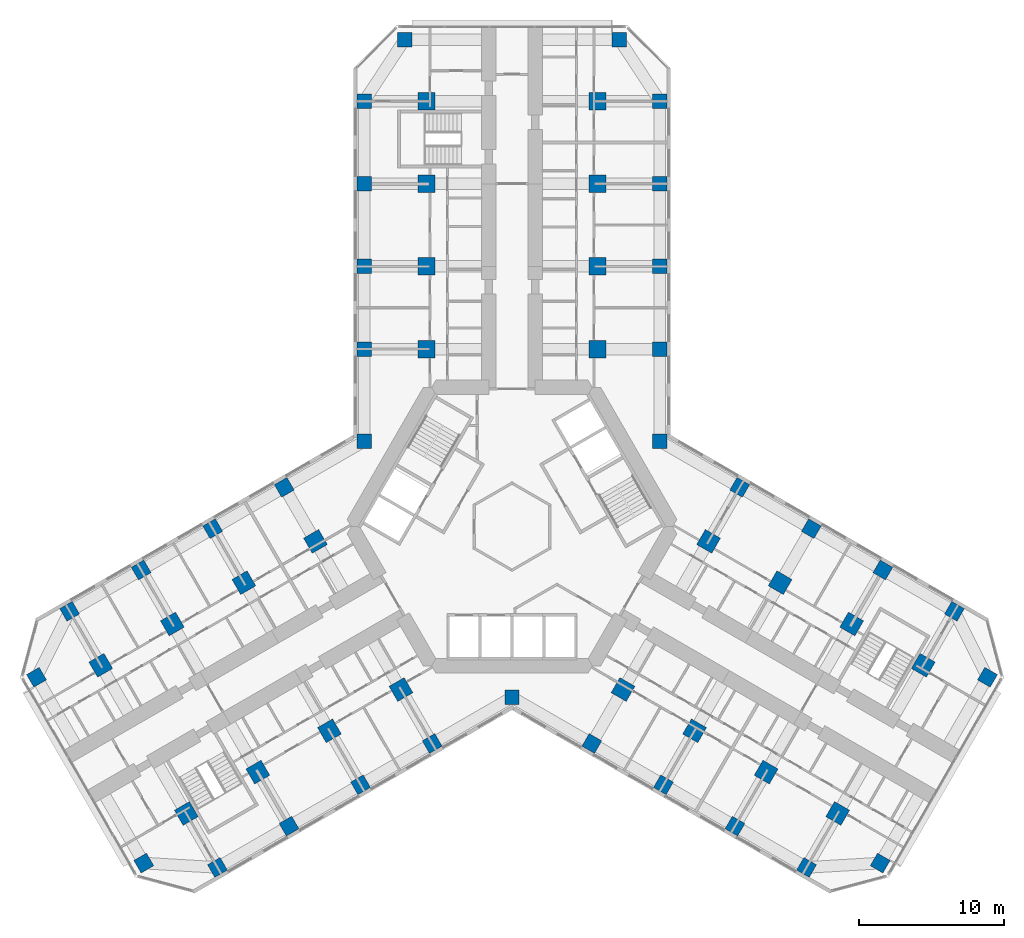
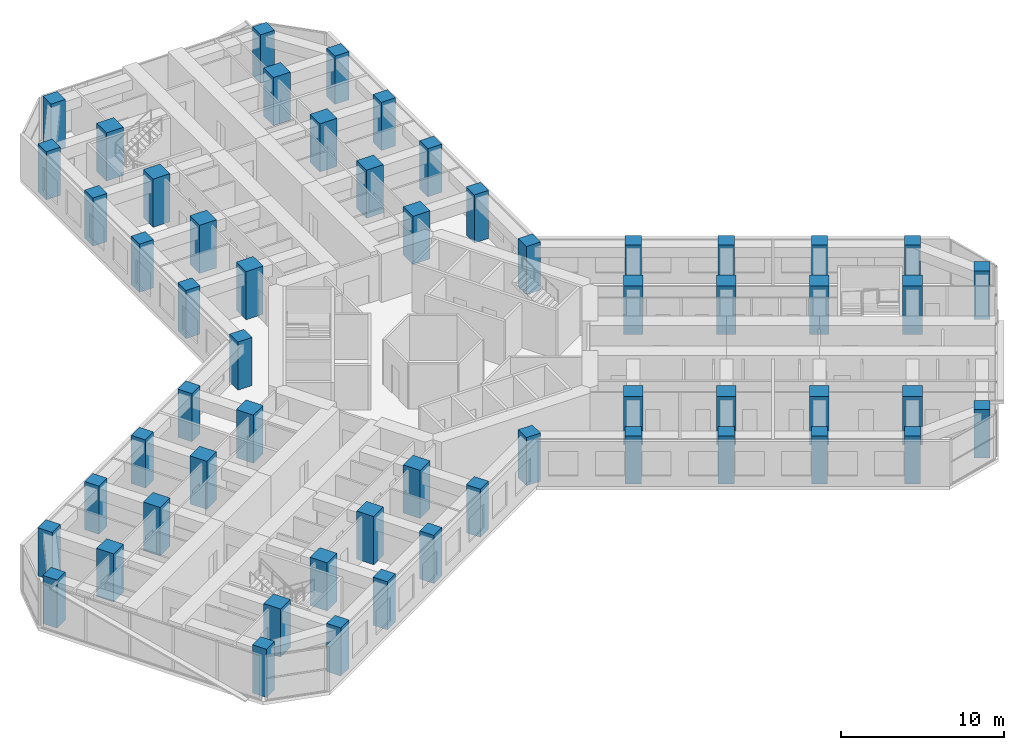
# One storey, part 1 of 21: 57 columns.
"""IFC4 building model written with IfcOpenShell, lengths in metres."""

from ifc_helpers import new_model, si_unit, direction, frame, origin, origin_2d, place, context, subcontext, project, spatial, rectangle, extrude, material, material_profile, profile_set, type_object, element, save


model = new_model("IFC4")

# Units and contexts
model_context = context("Model", 3, precision=1e-05, world=origin(), true_north=direction((0.0, 1.0)))
body_context = subcontext(model_context, "Body", "Model", "MODEL_VIEW")
ifc_project = project(units=[si_unit("LENGTHUNIT", "METRE"), si_unit("AREAUNIT", "SQUARE_METRE"), si_unit("VOLUMEUNIT", "CUBIC_METRE"), si_unit("PLANEANGLEUNIT", "RADIAN"), si_unit("MASSUNIT", "GRAM", prefix="KILO")], contexts=[model_context])

# Site, building, storey
site_placement = place(None, origin())
site = spatial("IfcSite", under=ifc_project, at=site_placement, CompositionType="ELEMENT")
building_placement = place(site_placement, origin())
building = spatial("IfcBuilding", under=site, at=building_placement, Name="Kosmar Iwan School Tower", CompositionType="ELEMENT")
storey_placement = place(building_placement, frame((0.0, 0.0, 50.199951171875)))
storey = spatial("IfcBuildingStorey", under=building, at=storey_placement, Name="L11", CompositionType="ELEMENT", Elevation=50.199951171875)

# Columns
ifc_material_1 = material(Name="Concrete C50/60", Category="concrete")
ifc_material_profile_1 = material_profile(ifc_material_1, rectangle(XDim=1.0, YDim=1.0, at=origin_2d()), Name="RC 1000x1000 + HD 400x677")
ifc_profile_set_1 = profile_set([ifc_material_profile_1], Name="Concrete C50/60")
column_type_1 = type_object("IfcColumnType", Name="Composite column 1000x1000 HD 400x677", PredefinedType="COLUMN", material=ifc_profile_set_1)
for number, where, z_axis, x_axis, name in (
    (1, (-10.199951171875, 12.25, 0.0), (0.0, 0.0, 1.0), (0.0, 1.0, 0.0), "Column AL1 L11"),
    (2, (-10.199951171875, 17.949951171875, 0.0), (0.0, 0.0, 1.0), (0.0, 1.0, 0.0), "Column AL2 L11"),
    (3, (-10.199951171875, 23.64990234375, 0.0), (0.0, 0.0, 1.0), (0.0, 1.0, 0.0), "Column AL3 L11"),
    (4, (-10.199951171875, 29.35009765625, 0.0), (0.0, 0.0, 1.0), (0.0, 1.0, 0.0), "Column AL4 L11"),
    (5, (-7.39990234375, 33.60009765625, 0.0), (0.0, 0.0, 1.0), (0.0, 1.0, 0.0), "Column ALTIP L11"),
    (6, (10.199951171875, 12.25, 0.0), (0.0, 0.0, 1.0), (0.0, 1.0, 0.0), "Column AR1 L11"),
    (7, (10.199951171875, 17.949951171875, 0.0), (0.0, 0.0, 1.0), (0.0, 1.0, 0.0), "Column AR2 L11"),
    (8, (10.199951171875, 23.64990234375, 0.0), (0.0, 0.0, 1.0), (0.0, 1.0, 0.0), "Column AR3 L11"),
    (9, (10.199951171875, 29.35009765625, 0.0), (0.0, 0.0, 1.0), (0.0, 1.0, 0.0), "Column AR4 L11"),
    (10, (7.39990234375, 33.60009765625, 0.0), (0.0, 0.0, 1.0), (0.0, 1.0, 0.0), "Column ARTIP L11"),
    (11, (-5.5087890625, -14.95849609375, 0.0), (0.0, 0.0, 1.0), (-0.866025403784, -0.5, 0.0), "Column BL1 L11"),
    (12, (-10.445068359375, -17.808349609375, 0.0), (0.0, 0.0, 1.0), (-0.866025403784, -0.5, 0.0), "Column BL2 L11"),
    (13, (-15.381591796875, -20.658447265625, 0.0), (0.0, 0.0, 1.0), (-0.866025403784, -0.5, 0.0), "Column BL3 L11"),
    (14, (-20.31787109375, -23.508544921875, 0.0), (0.0, 0.0, 1.0), (-0.866025403784, -0.5, 0.0), "Column BL4 L11"),
    (15, (-25.3984375, -23.20849609375, 0.0), (0.0, 0.0, 1.0), (-0.866025403784, -0.5, 0.0), "Column BLTIP L11"),
    (16, (-15.708740234375, 2.70849609375, 0.0), (0.0, 0.0, 1.0), (-0.866025403784, -0.5, 0.0), "Column BR1 L11"),
    (17, (-20.645263671875, -0.1416015625, 0.0), (0.0, 0.0, 1.0), (-0.866025403784, -0.5, 0.0), "Column BR2 L11"),
    (18, (-25.58154296875, -2.991455078125, 0.0), (0.0, 0.0, 1.0), (-0.866025403784, -0.5, 0.0), "Column BR3 L11"),
    (19, (-30.517822265625, -5.841552734375, 0.0), (0.0, 0.0, 1.0), (-0.866025403784, -0.5, 0.0), "Column BR4 L11"),
    (20, (-32.79833984375, -10.391357421875, 0.0), (0.0, 0.0, 1.0), (-0.866025403784, -0.5, 0.0), "Column BRTIP L11"),
    (21, (15.708740234375, 2.70849609375, 0.0), (0.0, 0.0, 1.0), (0.866025403784, -0.5, 0.0), "Column CL1 L11"),
    (22, (20.645263671875, -0.1416015625, 0.0), (0.0, 0.0, 1.0), (0.866025403784, -0.5, 0.0), "Column CL2 L11"),
    (23, (25.58154296875, -2.991455078125, 0.0), (0.0, 0.0, 1.0), (0.866025403784, -0.5, 0.0), "Column CL3 L11"),
    (24, (30.517822265625, -5.841552734375, 0.0), (0.0, 0.0, 1.0), (0.866025403784, -0.5, 0.0), "Column CL4 L11"),
    (25, (32.79833984375, -10.391357421875, 0.0), (0.0, 0.0, 1.0), (0.866025403784, -0.5, 0.0), "Column CLTIP L11"),
    (26, (5.5087890625, -14.95849609375, 0.0), (0.0, 0.0, 1.0), (0.866025403784, -0.5, 0.0), "Column CR1 L11"),
    (27, (10.445068359375, -17.808349609375, 0.0), (0.0, 0.0, 1.0), (0.866025403784, -0.5, 0.0), "Column CR2 L11"),
    (28, (15.381591796875, -20.658447265625, 0.0), (0.0, 0.0, 1.0), (0.866025403784, -0.5, 0.0), "Column CR3 L11"),
    (29, (20.31787109375, -23.508544921875, 0.0), (0.0, 0.0, 1.0), (0.866025403784, -0.5, 0.0), "Column CR4 L11"),
    (30, (25.3984375, -23.20849609375, 0.0), (0.0, 0.0, 1.0), (0.866025403784, -0.5, 0.0), "Column CRTIP L11"),
    (31, (-10.199951171875, 5.888916015625, 0.0), (0.0, 0.0, 1.0), (1.0, 0.0, 0.0), "Column RAB L11"),
    (32, (10.199951171875, 5.888916015625, 0.0), (0.0, 0.0, 1.0), (1.0, 0.0, 0.0), "Column RAC L11"),
    (33, (0.0, -11.77783203125, 0.0), (0.0, 0.0, 1.0), (1.0, 0.0, 0.0), "Column RBC L11"),
):
    element("IfcColumn", number, at=place(storey_placement, frame(where, z_axis=z_axis, x_axis=x_axis)), inside=storey, type_object=column_type_1, Name=name, PredefinedType="COLUMN", context=body_context, shape_type="SweptSolid", body=[
        extrude(rectangle(XDim=1.0, YDim=1.0, at=origin_2d()), origin(), (0.0, 0.0, 1.0), 3.60009765625),
    ])
ifc_material_2 = material(Name="Concrete C50/60", Category="concrete")
ifc_material_profile_2 = material_profile(ifc_material_2, rectangle(XDim=1.199951171875, YDim=1.199951171875, at=origin_2d()), Name="RC 1200x1200")
ifc_profile_set_2 = profile_set([ifc_material_profile_2], Name="Concrete C50/60")
column_type_2 = type_object("IfcColumnType", Name="RC interior column 1200x1200", PredefinedType="COLUMN", material=ifc_profile_set_2)
for number, where, z_axis, x_axis, name in (
    (34, (-5.89990234375, 12.25, 0.0), (0.0, 0.0, 1.0), (0.0, 1.0, 0.0), "Interior column ALI1 L11"),
    (35, (-5.89990234375, 17.949951171875, 0.0), (0.0, 0.0, 1.0), (0.0, 1.0, 0.0), "Interior column ALI2 L11"),
    (36, (-5.89990234375, 23.64990234375, 0.0), (0.0, 0.0, 1.0), (0.0, 1.0, 0.0), "Interior column ALI3 L11"),
    (37, (-5.89990234375, 29.35009765625, 0.0), (0.0, 0.0, 1.0), (0.0, 1.0, 0.0), "Interior column ALI4 L11"),
    (38, (5.89990234375, 12.25, 0.0), (0.0, 0.0, 1.0), (0.0, 1.0, 0.0), "Interior column ARI1 L11"),
    (39, (5.89990234375, 17.949951171875, 0.0), (0.0, 0.0, 1.0), (0.0, 1.0, 0.0), "Interior column ARI2 L11"),
    (40, (5.89990234375, 23.64990234375, 0.0), (0.0, 0.0, 1.0), (0.0, 1.0, 0.0), "Interior column ARI3 L11"),
    (41, (5.89990234375, 29.35009765625, 0.0), (0.0, 0.0, 1.0), (0.0, 1.0, 0.0), "Interior column ARI4 L11"),
    (42, (-7.65869140625, -11.234619140625, 0.0), (0.0, 0.0, 1.0), (-0.866025403784, -0.5, 0.0), "Interior column BLI1 L11"),
    (43, (-12.59521484375, -14.08447265625, 0.0), (0.0, 0.0, 1.0), (-0.866025403784, -0.5, 0.0), "Interior column BLI2 L11"),
    (44, (-17.531494140625, -16.9345703125, 0.0), (0.0, 0.0, 1.0), (-0.866025403784, -0.5, 0.0), "Interior column BLI3 L11"),
    (45, (-22.4677734375, -19.78466796875, 0.0), (0.0, 0.0, 1.0), (-0.866025403784, -0.5, 0.0), "Interior column BLI4 L11"),
    (46, (-13.558837890625, -1.015380859375, 0.0), (0.0, 0.0, 1.0), (-0.866025403784, -0.5, 0.0), "Interior column BRI1 L11"),
    (47, (-18.4951171875, -3.865478515625, 0.0), (0.0, 0.0, 1.0), (-0.866025403784, -0.5, 0.0), "Interior column BRI2 L11"),
    (48, (-23.431396484375, -6.71533203125, 0.0), (0.0, 0.0, 1.0), (-0.866025403784, -0.5, 0.0), "Interior column BRI3 L11"),
    (49, (-28.367919921875, -9.5654296875, 0.0), (0.0, 0.0, 1.0), (-0.866025403784, -0.5, 0.0), "Interior column BRI4 L11"),
    (50, (13.558837890625, -1.015380859375, 0.0), (0.0, 0.0, 1.0), (0.866025403784, -0.5, 0.0), "Interior column CLI1 L11"),
    (51, (18.4951171875, -3.865478515625, 0.0), (0.0, 0.0, 1.0), (0.866025403784, -0.5, 0.0), "Interior column CLI2 L11"),
    (52, (23.431396484375, -6.71533203125, 0.0), (0.0, 0.0, 1.0), (0.866025403784, -0.5, 0.0), "Interior column CLI3 L11"),
    (53, (28.367919921875, -9.5654296875, 0.0), (0.0, 0.0, 1.0), (0.866025403784, -0.5, 0.0), "Interior column CLI4 L11"),
    (54, (7.65869140625, -11.234619140625, 0.0), (0.0, 0.0, 1.0), (0.866025403784, -0.5, 0.0), "Interior column CRI1 L11"),
    (55, (12.59521484375, -14.08447265625, 0.0), (0.0, 0.0, 1.0), (0.866025403784, -0.5, 0.0), "Interior column CRI2 L11"),
    (56, (17.531494140625, -16.9345703125, 0.0), (0.0, 0.0, 1.0), (0.866025403784, -0.5, 0.0), "Interior column CRI3 L11"),
    (57, (22.4677734375, -19.78466796875, 0.0), (0.0, 0.0, 1.0), (0.866025403784, -0.5, 0.0), "Interior column CRI4 L11"),
):
    element("IfcColumn", number, at=place(storey_placement, frame(where, z_axis=z_axis, x_axis=x_axis)), inside=storey, type_object=column_type_2, Name=name, PredefinedType="COLUMN", context=body_context, shape_type="SweptSolid", body=[
        extrude(rectangle(XDim=1.199951171875, YDim=1.199951171875, at=origin_2d()), origin(), (0.0, 0.0, 1.0), 3.60009765625),
    ])

save(model, "model.ifc")
